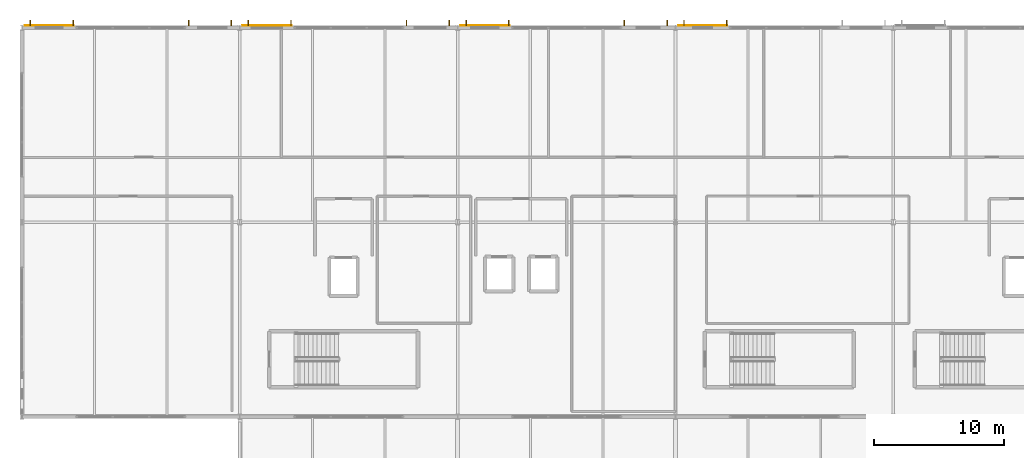
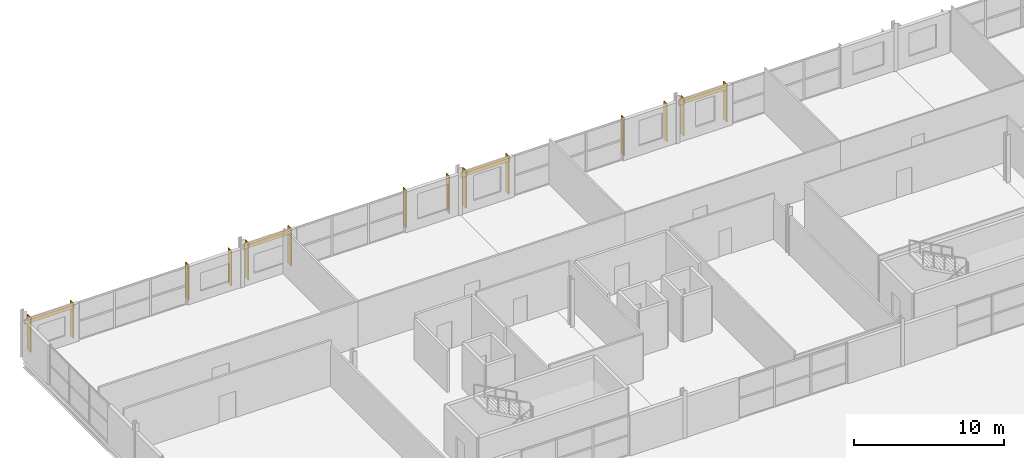
# One storey, part 34 of 36: 14 shading devices, 4 coverings.
"""IFC4 building model written with IfcOpenShell, lengths in metres."""

from ifc_helpers import new_model, si_unit, direction, frame, origin, origin_2d, place, context, subcontext, project, spatial, rectangle, extrude, material, layer, layer_set, type_object, element, save


model = new_model("IFC4")

# Units and contexts
model_context = context("Model", 3, precision=1e-05, world=origin(), true_north=direction((0.0, 1.0)))
body_context = subcontext(model_context, "Body", "Model", "MODEL_VIEW")
ifc_project = project(units=[si_unit("LENGTHUNIT", "METRE"), si_unit("AREAUNIT", "SQUARE_METRE"), si_unit("VOLUMEUNIT", "CUBIC_METRE"), si_unit("PLANEANGLEUNIT", "RADIAN"), si_unit("MASSUNIT", "GRAM", prefix="KILO")], contexts=[model_context])

# Site, building, storey
site_placement = place(None, origin())
site = spatial("IfcSite", under=ifc_project, at=site_placement, CompositionType="ELEMENT")
building_placement = place(site_placement, origin())
building = spatial("IfcBuilding", under=site, at=building_placement, Name="Kimbaza Rail Terminus", CompositionType="ELEMENT")
storey_placement = place(building_placement, frame((0.0, 0.0, 21.0)))
storey = spatial("IfcBuildingStorey", under=building, at=storey_placement, Name="L04", CompositionType="ELEMENT", Elevation=21.0)

# Coverings
ifc_material_1 = material(Name="Champagne anodised aluminium spandrel cladding", Category="aluminium")
ifc_layer = layer(ifc_material_1, 0.034912109375)
ifc_layer_set = layer_set([ifc_layer], Name="Champagne anodised aluminium spandrel cladding")
covering_type = type_object("IfcCoveringType", Name="ARC-COV-CLD1", PredefinedType="CLADDING", material=ifc_layer_set)
for number, where, z_axis, x_axis, name in (
    (1, (57.300048828125, 133.156005859375, 2.580078125), (0.0, 0.0, 1.0), (1.0, 0.0, 0.0), "North Spandrel Cladding L04 Bay 1"),
    (2, (74.10009765625, 133.156005859375, 2.7900390625), (0.0, 0.0, 1.0), (1.0, 0.0, 0.0), "North Spandrel Cladding L04 Bay 2"),
    (3, (90.89990234375, 133.156005859375, 2.7900390625), (0.0, 0.0, 1.0), (1.0, 0.0, 0.0), "North Spandrel Cladding L04 Bay 3"),
    (4, (107.699951171875, 133.156005859375, 2.7900390625), (0.0, 0.0, 1.0), (1.0, 0.0, 0.0), "North Spandrel Cladding L04 Bay 4"),
):
    element("IfcCovering", number, at=place(storey_placement, frame(where, z_axis=z_axis, x_axis=x_axis)), inside=storey, type_object=covering_type, Name=name, PredefinedType="CLADDING", context=body_context, shape_type="SweptSolid", body=[
        extrude(rectangle(XDim=3.800048828125, YDim=0.034912109375, at=origin_2d()), origin(), (0.0, 0.0, 1.0), 0.449951171875),
    ])

# Shading devices
ifc_material_2 = material(Name="Champagne anodised extruded aluminium", Category="aluminium")
shading_device_type = type_object("IfcShadingDeviceType", Name="ARC-SHD-FIN450", PredefinedType="USERDEFINED", material=ifc_material_2)
for number, where, z_axis, x_axis, name in (
    (5, (55.85009765625, 133.363037109375, 0.14990234375), (0.0, 0.0, 1.0), (1.0, 0.0, 0.0), "North Solar Fin L04 Bay 1.1"),
    (6, (59.14990234375, 133.363037109375, 0.14990234375), (0.0, 0.0, 1.0), (1.0, 0.0, 0.0), "North Solar Fin L04 Bay 1.2"),
    (7, (68.050048828125, 133.363037109375, 0.14990234375), (0.0, 0.0, 1.0), (1.0, 0.0, 0.0), "North Solar Fin L04 Bay 1.3"),
    (8, (71.35009765625, 133.363037109375, 0.14990234375), (0.0, 0.0, 1.0), (1.0, 0.0, 0.0), "North Solar Fin L04 Bay 1.4"),
):
    element("IfcShadingDevice", number, at=place(storey_placement, frame(where, z_axis=z_axis, x_axis=x_axis)), inside=storey, type_object=shading_device_type, Name=name, ObjectType="BRISE SOLEIL FIN", PredefinedType="USERDEFINED", context=body_context, shape_type="SweptSolid", body=[
        extrude(rectangle(XDim=0.06494140625, YDim=0.449951171875, at=origin_2d()), origin(), (0.0, 0.0, 1.0), 2.85498046875),
    ])
for number, where, z_axis, x_axis, name in (
    (9, (72.64990234375, 133.363037109375, 0.150146484375), (0.0, 0.0, 1.0), (1.0, 0.0, 0.0), "North Solar Fin L04 Bay 2.1"),
    (10, (75.949951171875, 133.363037109375, 0.150146484375), (0.0, 0.0, 1.0), (1.0, 0.0, 0.0), "North Solar Fin L04 Bay 2.2"),
    (11, (84.85009765625, 133.363037109375, 0.150146484375), (0.0, 0.0, 1.0), (1.0, 0.0, 0.0), "North Solar Fin L04 Bay 2.3"),
    (12, (88.14990234375, 133.363037109375, 0.150146484375), (0.0, 0.0, 1.0), (1.0, 0.0, 0.0), "North Solar Fin L04 Bay 2.4"),
    (13, (89.449951171875, 133.363037109375, 0.150146484375), (0.0, 0.0, 1.0), (1.0, 0.0, 0.0), "North Solar Fin L04 Bay 3.1"),
    (14, (92.75, 133.363037109375, 0.150146484375), (0.0, 0.0, 1.0), (1.0, 0.0, 0.0), "North Solar Fin L04 Bay 3.2"),
    (15, (101.64990234375, 133.363037109375, 0.150146484375), (0.0, 0.0, 1.0), (1.0, 0.0, 0.0), "North Solar Fin L04 Bay 3.3"),
    (16, (104.949951171875, 133.363037109375, 0.150146484375), (0.0, 0.0, 1.0), (1.0, 0.0, 0.0), "North Solar Fin L04 Bay 3.4"),
    (17, (106.25, 133.363037109375, 0.150146484375), (0.0, 0.0, 1.0), (1.0, 0.0, 0.0), "North Solar Fin L04 Bay 4.1"),
    (18, (109.550048828125, 133.363037109375, 0.150146484375), (0.0, 0.0, 1.0), (1.0, 0.0, 0.0), "North Solar Fin L04 Bay 4.2"),
):
    element("IfcShadingDevice", number, at=place(storey_placement, frame(where, z_axis=z_axis, x_axis=x_axis)), inside=storey, type_object=shading_device_type, Name=name, ObjectType="BRISE SOLEIL FIN", PredefinedType="USERDEFINED", context=body_context, shape_type="SweptSolid", body=[
        extrude(rectangle(XDim=0.06494140625, YDim=0.449951171875, at=origin_2d()), origin(), (0.0, 0.0, 1.0), 3.06494140625),
    ])

save(model, "model.ifc")
